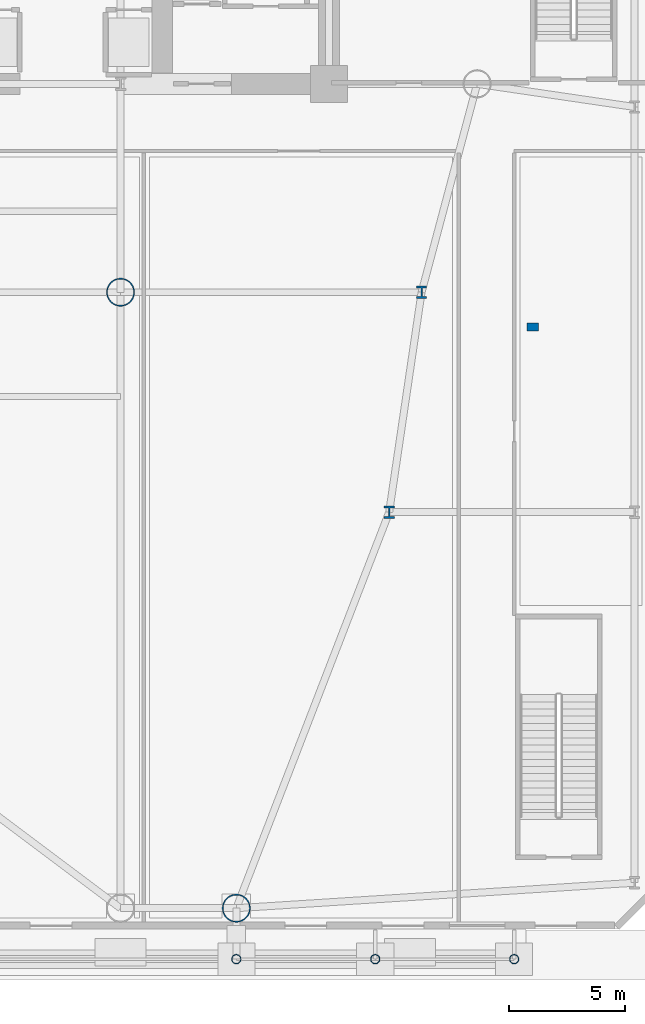
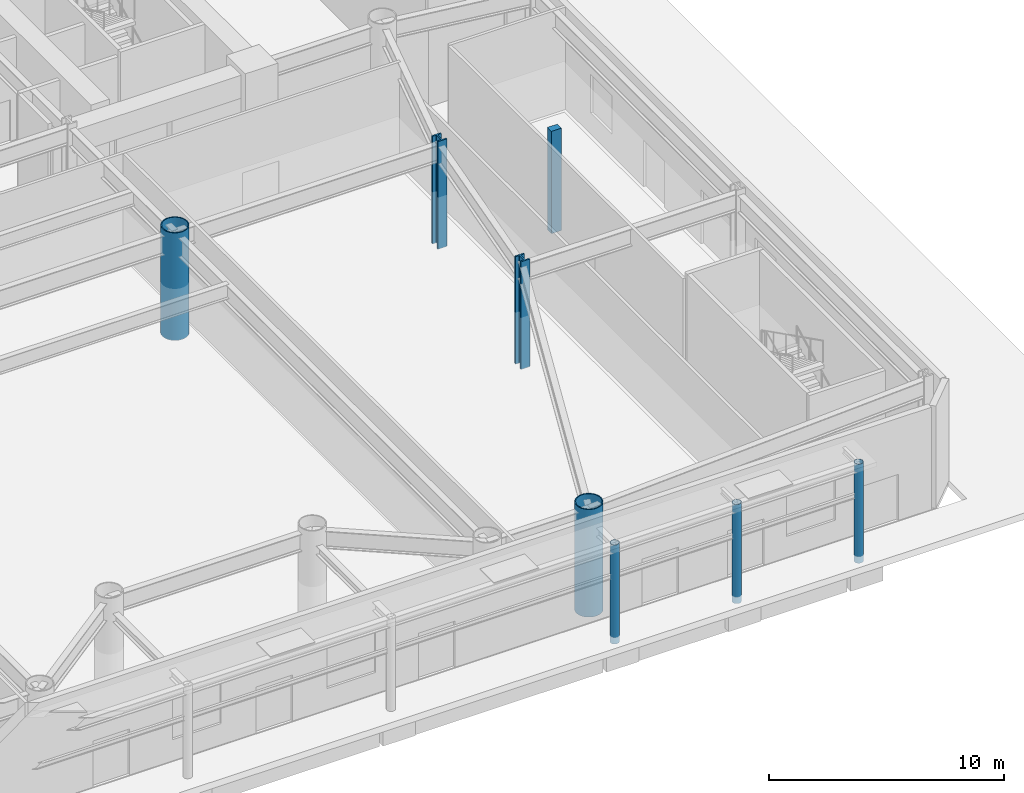
# One storey, part 3 of 20: 8 columns.
"""IFC4 building model written with IfcOpenShell, lengths in metres."""

from ifc_helpers import new_model, si_unit, direction, frame, origin, origin_2d, place, context, subcontext, project, spatial, rectangle, hollow_circle, i_section, extrude, source, transform, mapped, material, material_profile, profile_set, type_object, element, save


model = new_model("IFC4")

# Units and contexts
model_context = context("Model", 3, precision=1e-05, world=origin(), true_north=direction((0.0, 1.0)))
body_context = subcontext(model_context, "Body", "Model", "MODEL_VIEW")
ifc_project = project(units=[si_unit("LENGTHUNIT", "METRE"), si_unit("AREAUNIT", "SQUARE_METRE"), si_unit("VOLUMEUNIT", "CUBIC_METRE"), si_unit("PLANEANGLEUNIT", "RADIAN"), si_unit("MASSUNIT", "GRAM", prefix="KILO")], contexts=[model_context])

# Site, building, storey
site_placement = place(None, origin())
site = spatial("IfcSite", under=ifc_project, at=site_placement, CompositionType="ELEMENT")
building_placement = place(site_placement, origin())
building = spatial("IfcBuilding", under=site, at=building_placement, Name="Vaeldorn Concourse Tower", CompositionType="ELEMENT")
storey_placement = place(building_placement, origin())
storey = spatial("IfcBuildingStorey", under=building, at=storey_placement, Name="L00", CompositionType="ELEMENT", Elevation=0.0)

# Columns
ifc_material_1 = material(Name="Steel S460", Category="steel")
ifc_material_profile_1 = material_profile(ifc_material_1, hollow_circle(Radius=0.609619140625, WallThickness=0.050048828125, at=origin_2d()), Name="CHS 1219x50")
ifc_profile_set_1 = profile_set([ifc_material_profile_1], Name="Steel S460")
column_type_1 = type_object("IfcColumnType", Name="COL-CHS1219", PredefinedType="COLUMN", material=ifc_profile_set_1)
shared_shape_1 = source(origin(), body_context, "Body", "SweptSolid", [
    extrude(hollow_circle(Radius=0.609619140625, WallThickness=0.050048828125, at=origin_2d()), origin(), (0.0, 0.0, 1.0), 5.60009765625),
])
for number, where, z_axis, x_axis, name in (
    (1, (50.0, 0.89990234375, 0.0), (0.0, 0.0, 1.0), (1.0, 0.0, 0.0), "Column C-SM6 L00"),
    (2, (45.0, 27.5, 0.0), (0.0, 0.0, 1.0), (1.0, 0.0, 0.0), "Column C-TW4 L00"),
):
    element("IfcColumn", number, at=place(storey_placement, frame(where, z_axis=z_axis, x_axis=x_axis)), inside=storey, type_object=column_type_1, Name=name, PredefinedType="COLUMN", context=body_context, shape_type="MappedRepresentation", body=[
        mapped(shared_shape_1, transform((0.0, 0.0, 0.0), scale=1.0)),
    ])
ifc_material_profile_2 = material_profile(ifc_material_1, i_section(OverallWidth=0.44189453125, OverallDepth=0.531005859375, WebThickness=0.06494140625, FlangeThickness=0.075927734375, FilletRadius=0.014892578125, at=origin_2d()), Name="HD 400x900")
ifc_profile_set_2 = profile_set([ifc_material_profile_2], Name="Steel S460")
column_type_2 = type_object("IfcColumnType", Name="COL-HD900F", PredefinedType="COLUMN", material=ifc_profile_set_2)
shared_shape_2 = source(origin(), body_context, "Body", "SweptSolid", [
    extrude(i_section(OverallWidth=0.44189453125, OverallDepth=0.531005859375, WebThickness=0.06494140625, FlangeThickness=0.075927734375, FilletRadius=0.014892578125, at=origin_2d()), origin(), (0.0, 0.0, 1.0), 5.60009765625),
])
for number, where, z_axis, x_axis, name in (
    (3, (58.0, 27.5, 0.0), (0.0, 0.0, 1.0), (1.0, 0.0, 0.0), "Column C-FLE1 L00"),
    (4, (56.60009765625, 18.0, 0.0), (0.0, 0.0, 1.0), (1.0, 0.0, 0.0), "Column C-FLE2 L00"),
):
    element("IfcColumn", number, at=place(storey_placement, frame(where, z_axis=z_axis, x_axis=x_axis)), inside=storey, type_object=column_type_2, Name=name, PredefinedType="COLUMN", context=body_context, shape_type="MappedRepresentation", body=[
        mapped(shared_shape_2, transform((0.0, 0.0, 0.0), scale=1.0)),
    ])
ifc_material_2 = material(Name="Steel S355", Category="steel")
ifc_material_profile_3 = material_profile(ifc_material_2, hollow_circle(Radius=0.203125, WallThickness=0.02001953125, at=origin_2d()), Name="CHS 406.4x20")
ifc_profile_set_3 = profile_set([ifc_material_profile_3], Name="Steel S355")
column_type_3 = type_object("IfcColumnType", Name="COL-CHS406", PredefinedType="COLUMN", material=ifc_profile_set_3)
shared_shape_3 = source(origin(), body_context, "Body", "SweptSolid", [
    extrude(hollow_circle(Radius=0.203125, WallThickness=0.02001953125, at=origin_2d()), origin(), (0.0, 0.0, 1.0), 5.150146484375),
])
for number, where, z_axis, x_axis, name in (
    (5, (50.0, -1.300048828125, -0.35009765625), (0.0, 0.0, 1.0), (1.0, 0.0, 0.0), "Forecourt Canopy Column 5"),
    (6, (62.0, -1.300048828125, -0.35009765625), (0.0, 0.0, 1.0), (1.0, 0.0, 0.0), "Forecourt Canopy Column 6"),
    (7, (56.0, -1.300048828125, -0.35009765625), (0.0, 0.0, 1.0), (1.0, 0.0, 0.0), "Forecourt Canopy Column 5B"),
):
    element("IfcColumn", number, at=place(storey_placement, frame(where, z_axis=z_axis, x_axis=x_axis)), inside=storey, type_object=column_type_3, Name=name, PredefinedType="COLUMN", context=body_context, shape_type="MappedRepresentation", body=[
        mapped(shared_shape_3, transform((0.0, 0.0, 0.0), scale=1.0)),
    ])
ifc_material_3 = material(Name="Concrete C50/60", Category="concrete")
ifc_material_profile_4 = material_profile(ifc_material_3, rectangle(XDim=0.5, YDim=0.35009765625, at=origin_2d()), Name="RC 500x350")
ifc_profile_set_4 = profile_set([ifc_material_profile_4], Name="Concrete C50/60")
column_type_4 = type_object("IfcColumnType", Name="PIL-RC500x350", PredefinedType="PILASTER", material=ifc_profile_set_4)
shared_shape_4 = source(origin(), body_context, "Body", "SweptSolid", [
    extrude(rectangle(XDim=0.5, YDim=0.35009765625, at=origin_2d()), origin(), (0.0, 0.0, 1.0), 5.320068359375),
])
column_placement = place(storey_placement, frame((62.800048828125, 26.0, 0.0), z_axis=(0.0, 0.0, 1.0), x_axis=(1.0, 0.0, 0.0)))
element("IfcColumn", 8, at=column_placement, inside=storey, type_object=column_type_4, Name="Concourse Structural Pilaster L00-E", PredefinedType="PILASTER", context=body_context, shape_type="MappedRepresentation", body=[
    mapped(shared_shape_4, transform((0.0, 0.0, 0.0), scale=1.0)),
])

save(model, "model.ifc")
